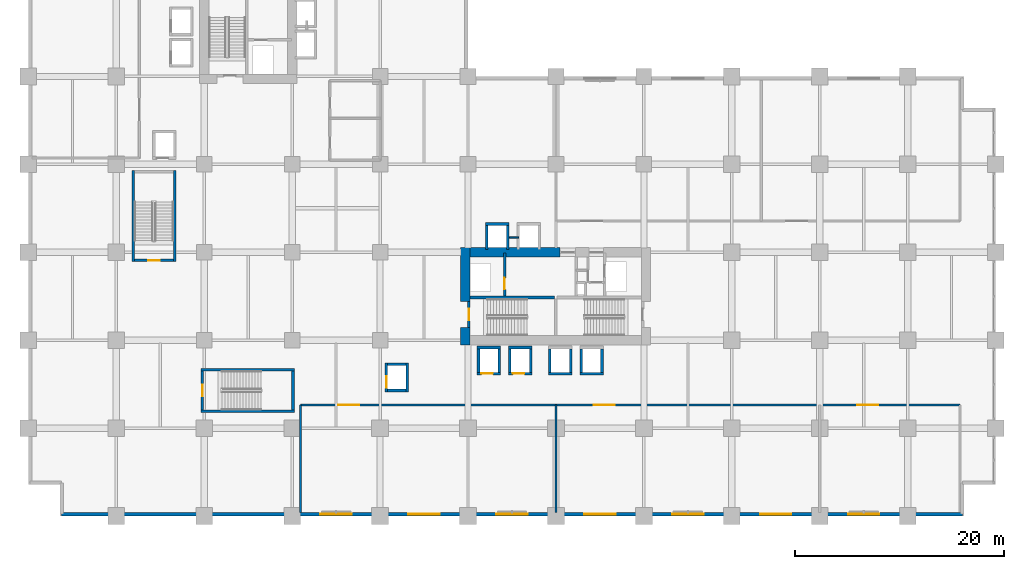
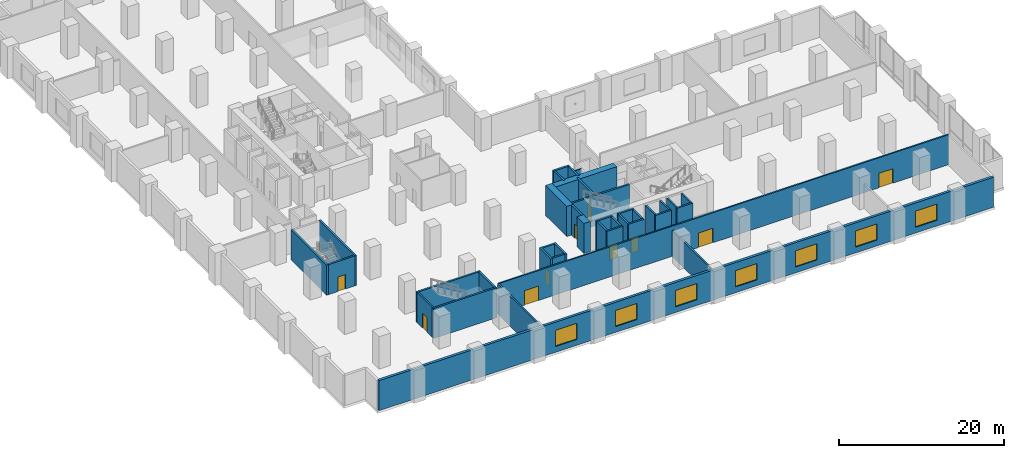
# One storey, part 9 of 22: 39 walls, 10 doors, 7 windows, 17 openings.
"""IFC4 building model written with IfcOpenShell, lengths in metres."""

from ifc_helpers import new_model, si_unit, direction, frame, frame_2d, origin, place, context, subcontext, project, spatial, rectangle, extrude, material, layer, layer_set, type_object, element, fill, save


model = new_model("IFC4")

# Units and contexts
model_context = context("Model", 3, precision=1e-05, world=origin(), true_north=direction((0.0, 1.0)))
body_context = subcontext(model_context, "Body", "Model", "MODEL_VIEW")
ifc_project = project(units=[si_unit("LENGTHUNIT", "METRE"), si_unit("AREAUNIT", "SQUARE_METRE"), si_unit("VOLUMEUNIT", "CUBIC_METRE"), si_unit("PLANEANGLEUNIT", "RADIAN"), si_unit("MASSUNIT", "GRAM", prefix="KILO")], contexts=[model_context])

# Site, building, storey
site_placement = place(None, origin())
site = spatial("IfcSite", under=ifc_project, at=site_placement, CompositionType="ELEMENT")
building_placement = place(site_placement, origin())
building = spatial("IfcBuilding", under=site, at=building_placement, Name="Koriwani Terraces Tower", CompositionType="ELEMENT")
storey_placement = place(building_placement, frame((0.0, 0.0, 10.800048828125)))
storey = spatial("IfcBuildingStorey", under=building, at=storey_placement, Name="L02", CompositionType="ELEMENT", Elevation=10.800048828125)

# Walls
ifc_material_1 = material(Name="Concrete C60/75", Category="concrete")
ifc_layer_1 = layer(ifc_material_1, 0.89990234375, Name="Concrete C60/75")
ifc_layer_set_1 = layer_set([ifc_layer_1], Name="Concrete C60/75")
wall_type_1 = type_object("IfcWallType", Name="WALL_CORE_RC_900", PredefinedType="SHEAR", material=ifc_layer_set_1)
wall_1_placement = place(storey_placement, frame((41.75, 16.35009765625, 0.0), z_axis=(0.0, 0.0, 1.0), x_axis=(0.0, 1.0, 0.0)))
element("IfcWall", 1, at=wall_1_placement, inside=storey, type_object=wall_type_1, Name="L02 East Split Core Shear Wall W1", PredefinedType="SHEAR", context=body_context, shape_type="SweptSolid", body=[
    extrude(rectangle(XDim=1.64990234375, YDim=0.89990234375, at=frame_2d((0.824951171875, 0.0))), origin(), (0.0, 0.0, 1.0), 4.449951171875),
])
wall_2_placement = place(storey_placement, frame((41.75, 20.5, 0.0), z_axis=(0.0, 0.0, 1.0), x_axis=(0.0, 1.0, 0.0)))
element("IfcWall", 2, at=wall_2_placement, inside=storey, type_object=wall_type_1, Name="L02 East Split Core Shear Wall W2", PredefinedType="SHEAR", context=body_context, shape_type="SweptSolid", body=[
    extrude(rectangle(XDim=5.14990234375, YDim=0.89990234375, at=frame_2d((2.574951171875, 0.0))), origin(), (0.0, 0.0, 1.0), 4.449951171875),
])
wall_3_placement = place(storey_placement, frame((42.199951171875, 25.199951171875, 0.0), z_axis=(0.0, 0.0, 1.0), x_axis=(1.0, 0.0, 0.0)))
element("IfcWall", 3, at=wall_3_placement, inside=storey, type_object=wall_type_1, Name="L02 East Split Core Shear Wall N1", PredefinedType="SHEAR", context=body_context, shape_type="SweptSolid", body=[
    extrude(rectangle(XDim=8.60009765625, YDim=0.89990234375, at=frame_2d((4.300048828125, 0.0))), origin(), (0.0, 0.0, 1.0), 4.449951171875),
])

# Wall, openings, doors
ifc_material_2 = material(Name="Autoclaved Cellular Concrete Blockwork", Category="masonry")
ifc_layer_2 = layer(ifc_material_2, 0.199951171875, Name="Autoclaved Cellular Concrete Blockwork")
ifc_layer_set_2 = layer_set([ifc_layer_2], Name="Autoclaved Cellular Concrete Blockwork")
wall_type_2 = type_object("IfcWallType", Name="WALL_CORRIDOR_200", PredefinedType="PARTITIONING", material=ifc_layer_set_2)
wall_4_placement = place(storey_placement, frame((26.0, 10.60009765625, 0.0), z_axis=(0.0, 0.0, 1.0), x_axis=(1.0, 0.0, 0.0)))
wall_4 = element("IfcWall", 4, at=wall_4_placement, inside=storey, type_object=wall_type_2, Name="L02 Interior Wall WPOD-S-L02-0", PredefinedType="PARTITIONING", context=body_context, shape_type="SweptSolid", body=[
    extrude(rectangle(XDim=63.0, YDim=0.199951171875, at=frame_2d((31.5, 0.0))), origin(), (0.0, 0.0, 1.0), 4.449951171875),
])
opening_1_placement = place(wall_4_placement, frame((3.60009765625, 0.0, 0.0)))
opening_1 = element("IfcOpeningElement", 5, at=opening_1_placement, cuts=wall_4, Name="Opening D-02", PredefinedType="OPENING", context=body_context, shape_type="SweptSolid", body=[
    extrude(rectangle(XDim=2.0, YDim=2.14990234375, at=frame_2d((1.0, 1.074951171875))), frame((0.0, 0.10986328125, 0.0), z_axis=(0.0, -1.0, 0.0), x_axis=(1.0, 0.0, 0.0)), (0.0, 0.0, 1.0), 0.219970703125),
])
opening_2_placement = place(wall_4_placement, frame((28.0, 0.0, 0.0)))
opening_2 = element("IfcOpeningElement", 6, at=opening_2_placement, cuts=wall_4, Name="Opening D-02", PredefinedType="OPENING", context=body_context, shape_type="SweptSolid", body=[
    extrude(rectangle(XDim=2.0, YDim=2.14990234375, at=frame_2d((1.0, 1.074951171875))), frame((0.0, 0.10986328125, 0.0), z_axis=(0.0, -1.0, 0.0), x_axis=(1.0, 0.0, 0.0)), (0.0, 0.0, 1.0), 0.219970703125),
])
opening_3_placement = place(wall_4_placement, frame((53.199951171875, 0.0, 0.0)))
opening_3 = element("IfcOpeningElement", 7, at=opening_3_placement, cuts=wall_4, Name="Opening D-02", PredefinedType="OPENING", context=body_context, shape_type="SweptSolid", body=[
    extrude(rectangle(XDim=2.0, YDim=2.14990234375, at=frame_2d((1.0, 1.074951171875))), frame((0.0, 0.10986328125, 0.0), z_axis=(0.0, -1.0, 0.0), x_axis=(1.0, 0.0, 0.0)), (0.0, 0.0, 1.0), 0.219970703125),
])
ifc_material_3 = material(Name="Anodised Bronze Aluminium", Category="aluminium")
door_type_1 = type_object("IfcDoorType", Name="DOOR_ENTRANCE_DOUBLE_2000X2400", OperationType="NOTDEFINED", PredefinedType="DOOR", material=ifc_material_3)
door_1_placement = place(opening_1_placement, origin())
door_1 = element("IfcDoor", 8, at=door_1_placement, inside=storey, type_object=door_type_1, Name="L02 South Galleria Unit 1 Door", OperationType="SINGLE_SWING_RIGHT", OverallHeight=2.14990234375, OverallWidth=2.0, PredefinedType="DOOR", context=body_context, shape_type="SweptSolid", body=[
    extrude(rectangle(XDim=2.0, YDim=2.14990234375, at=frame_2d((1.0, 1.074951171875))), frame((0.0, 0.02490234375, 0.0), z_axis=(0.0, -1.0, 0.0), x_axis=(1.0, 0.0, 0.0)), (0.0, 0.0, 1.0), 0.050048828125),
])
fill(opening_1, door_1)
door_2_placement = place(opening_2_placement, origin())
door_2 = element("IfcDoor", 9, at=door_2_placement, inside=storey, type_object=door_type_1, Name="L02 South Galleria Unit 2 Door", OperationType="SINGLE_SWING_LEFT", OverallHeight=2.14990234375, OverallWidth=2.0, PredefinedType="DOOR", context=body_context, shape_type="SweptSolid", body=[
    extrude(rectangle(XDim=2.0, YDim=2.14990234375, at=frame_2d((1.0, 1.074951171875))), frame((0.0, 0.02490234375, 0.0), z_axis=(0.0, -1.0, 0.0), x_axis=(1.0, 0.0, 0.0)), (0.0, 0.0, 1.0), 0.050048828125),
])
fill(opening_2, door_2)
door_3_placement = place(opening_3_placement, origin())
door_3 = element("IfcDoor", 10, at=door_3_placement, inside=storey, type_object=door_type_1, Name="L02 South Galleria Unit 3 Door", OperationType="SINGLE_SWING_RIGHT", OverallHeight=2.14990234375, OverallWidth=2.0, PredefinedType="DOOR", context=body_context, shape_type="SweptSolid", body=[
    extrude(rectangle(XDim=2.0, YDim=2.14990234375, at=frame_2d((1.0, 1.074951171875))), frame((0.0, 0.02490234375, 0.0), z_axis=(0.0, -1.0, 0.0), x_axis=(1.0, 0.0, 0.0)), (0.0, 0.0, 1.0), 0.050048828125),
])
fill(opening_3, door_3)

# Walls
ifc_layer_3 = layer(ifc_material_2, 0.219970703125, Name="Autoclaved Cellular Concrete Blockwork")
ifc_layer_set_3 = layer_set([ifc_layer_3], Name="Autoclaved Cellular Concrete Blockwork")
wall_type_3 = type_object("IfcWallType", Name="WALL_DEMISING_220", PredefinedType="PARTITIONING", material=ifc_layer_set_3)
wall_5_placement = place(storey_placement, frame((26.0, 0.35009765625, 0.0), z_axis=(0.0, 0.0, 1.0), x_axis=(0.0, 1.0, 0.0)))
element("IfcWall", 11, at=wall_5_placement, inside=storey, type_object=wall_type_3, Name="L02 Interior Wall WPOD-SD-L02-0", PredefinedType="PARTITIONING", context=body_context, shape_type="SweptSolid", body=[
    extrude(rectangle(XDim=10.25, YDim=0.219970703125, at=frame_2d((5.125, 0.0))), origin(), (0.0, 0.0, 1.0), 4.449951171875),
])
wall_6_placement = place(storey_placement, frame((50.39990234375, 0.35009765625, 0.0), z_axis=(0.0, 0.0, 1.0), x_axis=(0.0, 1.0, 0.0)))
element("IfcWall", 12, at=wall_6_placement, inside=storey, type_object=wall_type_3, Name="L02 Interior Wall WPOD-SD-L02-1", PredefinedType="PARTITIONING", context=body_context, shape_type="SweptSolid", body=[
    extrude(rectangle(XDim=10.25, YDim=0.219970703125, at=frame_2d((5.125, 0.0))), origin(), (0.0, 0.0, 1.0), 3.8388671875),
])

# Wall, openings, windows
ifc_material_4 = material(Name="Concrete C50/60", Category="concrete")
ifc_layer_4 = layer(ifc_material_4, 0.35009765625, Name="Concrete C50/60")
ifc_layer_set_4 = layer_set([ifc_layer_4], Name="Concrete C50/60")
wall_type_4 = type_object("IfcWallType", Name="WALL_EXT_BRUTALIST_350", PredefinedType="STANDARD", material=ifc_layer_set_4)
wall_7_placement = place(storey_placement, frame((89.22509765625, 0.175048828125, 0.0), z_axis=(0.0, 0.0, 1.0), x_axis=(-1.0, 0.0, 0.0)))
wall_7 = element("IfcWall", 13, at=wall_7_placement, inside=storey, type_object=wall_type_4, Name="L02 Fair-Faced Brutalist Exterior Wall (S)", PredefinedType="STANDARD", context=body_context, shape_type="SweptSolid", body=[
    extrude(rectangle(XDim=86.050048828125, YDim=0.35009765625, at=frame_2d((43.02490234375, 0.0))), origin(), (0.0, 0.0, 1.0), 4.449951171875),
])
opening_4_placement = place(wall_7_placement, frame((58.324951171875, 0.0, 0.85009765625)))
opening_4 = element("IfcOpeningElement", 14, at=opening_4_placement, cuts=wall_7, Name="Opening W-06", PredefinedType="OPENING", context=body_context, shape_type="SweptSolid", body=[
    extrude(rectangle(XDim=3.0, YDim=2.39990234375, at=frame_2d((1.5, 1.199951171875))), frame((0.0, 0.18505859375, 0.0), z_axis=(0.0, -1.0, 0.0), x_axis=(1.0, 0.0, 0.0)), (0.0, 0.0, 1.0), 0.3701171875),
])
opening_5_placement = place(wall_7_placement, frame((49.925048828125, 0.0, 0.85009765625)))
opening_5 = element("IfcOpeningElement", 15, at=opening_5_placement, cuts=wall_7, Name="Opening W-06", PredefinedType="OPENING", context=body_context, shape_type="SweptSolid", body=[
    extrude(rectangle(XDim=3.0, YDim=2.39990234375, at=frame_2d((1.5, 1.199951171875))), frame((0.0, 0.18505859375, 0.0), z_axis=(0.0, -1.0, 0.0), x_axis=(1.0, 0.0, 0.0)), (0.0, 0.0, 1.0), 0.3701171875),
])
opening_6_placement = place(wall_7_placement, frame((41.52490234375, 0.0, 0.85009765625)))
opening_6 = element("IfcOpeningElement", 16, at=opening_6_placement, cuts=wall_7, Name="Opening W-06", PredefinedType="OPENING", context=body_context, shape_type="SweptSolid", body=[
    extrude(rectangle(XDim=3.0, YDim=2.39990234375, at=frame_2d((1.5, 1.199951171875))), frame((0.0, 0.18505859375, 0.0), z_axis=(0.0, -1.0, 0.0), x_axis=(1.0, 0.0, 0.0)), (0.0, 0.0, 1.0), 0.3701171875),
])
opening_7_placement = place(wall_7_placement, frame((33.125, 0.0, 0.85009765625)))
opening_7 = element("IfcOpeningElement", 17, at=opening_7_placement, cuts=wall_7, Name="Opening W-06", PredefinedType="OPENING", context=body_context, shape_type="SweptSolid", body=[
    extrude(rectangle(XDim=3.0, YDim=2.39990234375, at=frame_2d((1.5, 1.199951171875))), frame((0.0, 0.18505859375, 0.0), z_axis=(0.0, -1.0, 0.0), x_axis=(1.0, 0.0, 0.0)), (0.0, 0.0, 1.0), 0.3701171875),
])
opening_8_placement = place(wall_7_placement, frame((24.72509765625, 0.0, 0.85009765625)))
opening_8 = element("IfcOpeningElement", 18, at=opening_8_placement, cuts=wall_7, Name="Opening W-06", PredefinedType="OPENING", context=body_context, shape_type="SweptSolid", body=[
    extrude(rectangle(XDim=3.0, YDim=2.39990234375, at=frame_2d((1.5, 1.199951171875))), frame((0.0, 0.18505859375, 0.0), z_axis=(0.0, -1.0, 0.0), x_axis=(1.0, 0.0, 0.0)), (0.0, 0.0, 1.0), 0.3701171875),
])
opening_9_placement = place(wall_7_placement, frame((16.324951171875, 0.0, 0.85009765625)))
opening_9 = element("IfcOpeningElement", 19, at=opening_9_placement, cuts=wall_7, Name="Opening W-06", PredefinedType="OPENING", context=body_context, shape_type="SweptSolid", body=[
    extrude(rectangle(XDim=3.0, YDim=2.39990234375, at=frame_2d((1.5, 1.199951171875))), frame((0.0, 0.18505859375, 0.0), z_axis=(0.0, -1.0, 0.0), x_axis=(1.0, 0.0, 0.0)), (0.0, 0.0, 1.0), 0.3701171875),
])
opening_10_placement = place(wall_7_placement, frame((7.925048828125, 0.0, 0.85009765625)))
opening_10 = element("IfcOpeningElement", 20, at=opening_10_placement, cuts=wall_7, Name="Opening W-06", PredefinedType="OPENING", context=body_context, shape_type="SweptSolid", body=[
    extrude(rectangle(XDim=3.0, YDim=2.39990234375, at=frame_2d((1.5, 1.199951171875))), frame((0.0, 0.18505859375, 0.0), z_axis=(0.0, -1.0, 0.0), x_axis=(1.0, 0.0, 0.0)), (0.0, 0.0, 1.0), 0.3701171875),
])
ifc_material_5 = material(Name="Tempered Laminated Low-E Glass", Category="glass")
window_type = type_object("IfcWindowType", Name="WIN_PODIUM_PUNCHED_3000X2400", PartitioningType="TRIPLE_PANEL_VERTICAL", PredefinedType="WINDOW", material=ifc_material_5)
window_1_placement = place(opening_4_placement, origin())
window_1 = element("IfcWindow", 21, at=window_1_placement, inside=storey, type_object=window_type, Name="L02 Exterior Window (S-9)", OverallHeight=2.39990234375, OverallWidth=3.0, PartitioningType="SINGLE_PANEL", PredefinedType="WINDOW", context=body_context, shape_type="SweptSolid", body=[
    extrude(rectangle(XDim=3.0, YDim=2.39990234375, at=frame_2d((1.5, 1.199951171875))), frame((0.0, 0.030029296875, 0.0), z_axis=(0.0, -1.0, 0.0), x_axis=(1.0, 0.0, 0.0)), (0.0, 0.0, 1.0), 0.06005859375),
])
fill(opening_4, window_1)
window_2_placement = place(opening_5_placement, origin())
window_2 = element("IfcWindow", 22, at=window_2_placement, inside=storey, type_object=window_type, Name="L02 Exterior Window (S-12)", OverallHeight=2.39990234375, OverallWidth=3.0, PartitioningType="SINGLE_PANEL", PredefinedType="WINDOW", context=body_context, shape_type="SweptSolid", body=[
    extrude(rectangle(XDim=3.0, YDim=2.39990234375, at=frame_2d((1.5, 1.199951171875))), frame((0.0, 0.030029296875, 0.0), z_axis=(0.0, -1.0, 0.0), x_axis=(1.0, 0.0, 0.0)), (0.0, 0.0, 1.0), 0.06005859375),
])
fill(opening_5, window_2)
window_3_placement = place(opening_6_placement, origin())
window_3 = element("IfcWindow", 23, at=window_3_placement, inside=storey, type_object=window_type, Name="L02 Exterior Window (S-15)", OverallHeight=2.39990234375, OverallWidth=3.0, PartitioningType="SINGLE_PANEL", PredefinedType="WINDOW", context=body_context, shape_type="SweptSolid", body=[
    extrude(rectangle(XDim=3.0, YDim=2.39990234375, at=frame_2d((1.5, 1.199951171875))), frame((0.0, 0.030029296875, 0.0), z_axis=(0.0, -1.0, 0.0), x_axis=(1.0, 0.0, 0.0)), (0.0, 0.0, 1.0), 0.06005859375),
])
fill(opening_6, window_3)
window_4_placement = place(opening_7_placement, origin())
window_4 = element("IfcWindow", 24, at=window_4_placement, inside=storey, type_object=window_type, Name="L02 Exterior Window (S-18)", OverallHeight=2.39990234375, OverallWidth=3.0, PartitioningType="SINGLE_PANEL", PredefinedType="WINDOW", context=body_context, shape_type="SweptSolid", body=[
    extrude(rectangle(XDim=3.0, YDim=2.39990234375, at=frame_2d((1.5, 1.199951171875))), frame((0.0, 0.030029296875, 0.0), z_axis=(0.0, -1.0, 0.0), x_axis=(1.0, 0.0, 0.0)), (0.0, 0.0, 1.0), 0.06005859375),
])
fill(opening_7, window_4)
window_5_placement = place(opening_8_placement, origin())
window_5 = element("IfcWindow", 25, at=window_5_placement, inside=storey, type_object=window_type, Name="L02 Exterior Window (S-21)", OverallHeight=2.39990234375, OverallWidth=3.0, PartitioningType="SINGLE_PANEL", PredefinedType="WINDOW", context=body_context, shape_type="SweptSolid", body=[
    extrude(rectangle(XDim=3.0, YDim=2.39990234375, at=frame_2d((1.5, 1.199951171875))), frame((0.0, 0.030029296875, 0.0), z_axis=(0.0, -1.0, 0.0), x_axis=(1.0, 0.0, 0.0)), (0.0, 0.0, 1.0), 0.06005859375),
])
fill(opening_8, window_5)
window_6_placement = place(opening_9_placement, origin())
window_6 = element("IfcWindow", 26, at=window_6_placement, inside=storey, type_object=window_type, Name="L02 Exterior Window (S-24)", OverallHeight=2.39990234375, OverallWidth=3.0, PartitioningType="SINGLE_PANEL", PredefinedType="WINDOW", context=body_context, shape_type="SweptSolid", body=[
    extrude(rectangle(XDim=3.0, YDim=2.39990234375, at=frame_2d((1.5, 1.199951171875))), frame((0.0, 0.030029296875, 0.0), z_axis=(0.0, -1.0, 0.0), x_axis=(1.0, 0.0, 0.0)), (0.0, 0.0, 1.0), 0.06005859375),
])
fill(opening_9, window_6)
window_7_placement = place(opening_10_placement, origin())
window_7 = element("IfcWindow", 27, at=window_7_placement, inside=storey, type_object=window_type, Name="L02 Exterior Window (S-27)", OverallHeight=2.39990234375, OverallWidth=3.0, PartitioningType="SINGLE_PANEL", PredefinedType="WINDOW", context=body_context, shape_type="SweptSolid", body=[
    extrude(rectangle(XDim=3.0, YDim=2.39990234375, at=frame_2d((1.5, 1.199951171875))), frame((0.0, 0.030029296875, 0.0), z_axis=(0.0, -1.0, 0.0), x_axis=(1.0, 0.0, 0.0)), (0.0, 0.0, 1.0), 0.06005859375),
])
fill(opening_10, window_7)

# Walls
ifc_material_6 = material(Name="Concrete C40/50", Category="concrete")
ifc_layer_5 = layer(ifc_material_6, 0.25, Name="Concrete C40/50")
ifc_layer_set_5 = layer_set([ifc_layer_5], Name="Concrete C40/50")
wall_type_5 = type_object("IfcWallType", Name="WALL_SHAFT_RATED_250", PredefinedType="SOLIDWALL", material=ifc_layer_set_5)
wall_8_placement = place(storey_placement, frame((42.199951171875, 20.875, 0.0), z_axis=(0.0, 0.0, 1.0), x_axis=(1.0, 0.0, 0.0)))
element("IfcWall", 28, at=wall_8_placement, inside=storey, type_object=wall_type_5, Name="L02 East Split Core Web Wall MID1", PredefinedType="SOLIDWALL", context=body_context, shape_type="SweptSolid", body=[
    extrude(rectangle(XDim=8.050048828125, YDim=0.25, at=frame_2d((4.02490234375, 0.0))), origin(), (0.0, 0.0, 1.0), 4.449951171875),
])
for number, where, z_axis, x_axis, name in (
    (29, (10.02490234375, 24.300048828125, 0.0), (0.0, 0.0, 1.0), (0.0, 1.0, 0.0), "L02 Podium Stair ST-P1 West Bearing Wall"),
    (30, (13.97509765625, 24.300048828125, 0.0), (0.0, 0.0, 1.0), (0.0, 1.0, 0.0), "L02 Podium Stair ST-P1 East Bearing Wall"),
):
    element("IfcWall", number, at=place(storey_placement, frame(where, z_axis=z_axis, x_axis=x_axis)), inside=storey, type_object=wall_type_5, Name=name, PredefinedType="SOLIDWALL", context=body_context, shape_type="SweptSolid", body=[
        extrude(rectangle(XDim=8.699951171875, YDim=0.25, at=frame_2d((4.35009765625, 0.0))), origin(), (0.0, 0.0, 1.0), 4.449951171875),
    ])
for number, where, z_axis, x_axis, name in (
    (31, (16.5, 10.02490234375, 0.0), (0.0, 0.0, 1.0), (1.0, 0.0, 0.0), "L02 Podium Stair ST-P2 South Bearing Wall"),
    (32, (16.5, 13.97509765625, 0.0), (0.0, 0.0, 1.0), (1.0, 0.0, 0.0), "L02 Podium Stair ST-P2 North Bearing Wall"),
):
    element("IfcWall", number, at=place(storey_placement, frame(where, z_axis=z_axis, x_axis=x_axis)), inside=storey, type_object=wall_type_5, Name=name, PredefinedType="SOLIDWALL", context=body_context, shape_type="SweptSolid", body=[
        extrude(rectangle(XDim=8.89990234375, YDim=0.25, at=frame_2d((4.449951171875, 0.0))), origin(), (0.0, 0.0, 1.0), 4.449951171875),
    ])
wall_9_placement = place(storey_placement, frame((25.27490234375, 10.14990234375, 0.0), z_axis=(0.0, 0.0, 1.0), x_axis=(0.0, 1.0, 0.0)))
element("IfcWall", 33, at=wall_9_placement, inside=storey, type_object=wall_type_5, Name="L02 Podium Stair ST-P2 East Bearing Wall", PredefinedType="SOLIDWALL", context=body_context, shape_type="SweptSolid", body=[
    extrude(rectangle(XDim=3.7001953125, YDim=0.25, at=frame_2d((1.85009765625, 0.0))), origin(), (0.0, 0.0, 1.0), 4.449951171875),
])

# Wall, opening, door
wall_10_placement = place(storey_placement, frame((42.074951171875, 18.0, 0.0), z_axis=(0.0, 0.0, 1.0), x_axis=(0.0, 1.0, 0.0)))
wall_10 = element("IfcWall", 34, at=wall_10_placement, inside=storey, type_object=wall_type_5, Name="L02 Interior Wall WIN-CE-L02-STW", PredefinedType="SOLIDWALL", context=body_context, shape_type="SweptSolid", body=[
    extrude(rectangle(XDim=2.5, YDim=0.25, at=frame_2d((1.25, 0.0))), origin(), (0.0, 0.0, 1.0), 4.449951171875),
])
opening_11_placement = place(wall_10_placement, frame((0.699951171875, 0.0, 0.0)))
opening_11 = element("IfcOpeningElement", 35, at=opening_11_placement, cuts=wall_10, Name="Opening D-03", PredefinedType="OPENING", context=body_context, shape_type="SweptSolid", body=[
    extrude(rectangle(XDim=1.10009765625, YDim=2.14990234375, at=frame_2d((0.550048828125, 1.074951171875))), frame((0.0, 0.135009765625, 0.0), z_axis=(0.0, -1.0, 0.0), x_axis=(1.0, 0.0, 0.0)), (0.0, 0.0, 1.0), 0.27001953125),
])
ifc_material_7 = material(Name="Steel ASTM A572 Grade 50", Category="steel")
door_type_2 = type_object("IfcDoorType", Name="DOOR_STAIR_FIRE_1100X2150", OperationType="NOTDEFINED", PredefinedType="DOOR", material=ifc_material_7)
door_4_placement = place(opening_11_placement, origin())
door_4 = element("IfcDoor", 36, at=door_4_placement, inside=storey, type_object=door_type_2, Name="L02 Exit Stair ST-E1 Door", OperationType="SINGLE_SWING_LEFT", OverallHeight=2.14990234375, OverallWidth=1.10009765625, PredefinedType="DOOR", context=body_context, shape_type="SweptSolid", body=[
    extrude(rectangle(XDim=1.10009765625, YDim=2.14990234375, at=frame_2d((0.550048828125, 1.074951171875))), frame((0.0, 0.02490234375, 0.0), z_axis=(0.0, -1.0, 0.0), x_axis=(1.0, 0.0, 0.0)), (0.0, 0.0, 1.0), 0.050048828125),
])
fill(opening_11, door_4)

wall_11_placement = place(storey_placement, frame((45.5, 21.0, 0.0), z_axis=(0.0, 0.0, 1.0), x_axis=(0.0, 1.0, 0.0)))
wall_11 = element("IfcWall", 37, at=wall_11_placement, inside=storey, type_object=wall_type_5, Name="L02 Interior Wall WIN-CE-L02-FE", PredefinedType="SOLIDWALL", context=body_context, shape_type="SweptSolid", body=[
    extrude(rectangle(XDim=4.14990234375, YDim=0.25, at=frame_2d((2.074951171875, 0.0))), origin(), (0.0, 0.0, 1.0), 4.449951171875),
])
opening_12_placement = place(wall_11_placement, frame((0.64990234375, 0.0, 0.0)))
opening_12 = element("IfcOpeningElement", 38, at=opening_12_placement, cuts=wall_11, Name="Opening LD-01", PredefinedType="OPENING", context=body_context, shape_type="SweptSolid", body=[
    extrude(rectangle(XDim=1.10009765625, YDim=2.14990234375, at=frame_2d((0.550048828125, 1.074951171875))), frame((0.0, 0.135009765625, 0.0), z_axis=(0.0, -1.0, 0.0), x_axis=(1.0, 0.0, 0.0)), (0.0, 0.0, 1.0), 0.27001953125),
])
door_type_3 = type_object("IfcDoorType", Name="DOOR_LIFT_LANDING_1100X2200", OperationType="NOTDEFINED", PredefinedType="DOOR", material=ifc_material_7)
door_5_placement = place(opening_12_placement, origin())
door_5 = element("IfcDoor", 39, at=door_5_placement, inside=storey, type_object=door_type_3, Name="L02 Firefighting Lift FE-02 Landing Door", OperationType="SLIDING_TO_LEFT", OverallHeight=2.14990234375, OverallWidth=1.10009765625, PredefinedType="DOOR", context=body_context, shape_type="SweptSolid", body=[
    extrude(rectangle(XDim=1.10009765625, YDim=2.14990234375, at=frame_2d((0.550048828125, 1.074951171875))), frame((0.0, 0.02490234375, 0.0), z_axis=(0.0, -1.0, 0.0), x_axis=(1.0, 0.0, 0.0)), (0.0, 0.0, 1.0), 0.050048828125),
])
fill(opening_12, door_5)

wall_12_placement = place(storey_placement, frame((34.199951171875, 11.875, 0.0), z_axis=(0.0, 0.0, 1.0), x_axis=(0.0, 1.0, 0.0)))
wall_12 = element("IfcWall", 40, at=wall_12_placement, inside=storey, type_object=wall_type_5, Name="L02 Interior Wall WIN-LF-PE-P2-L02-F", PredefinedType="SOLIDWALL", context=body_context, shape_type="SweptSolid", body=[
    extrude(rectangle(XDim=2.75, YDim=0.25, at=frame_2d((1.375, 0.0))), origin(), (0.0, 0.0, 1.0), 4.449951171875),
])
opening_13_placement = place(wall_12_placement, frame((0.39990234375, 0.0, 0.0)))
opening_13 = element("IfcOpeningElement", 41, at=opening_13_placement, cuts=wall_12, Name="Opening LD-01", PredefinedType="OPENING", context=body_context, shape_type="SweptSolid", body=[
    extrude(rectangle(XDim=1.10009765625, YDim=2.14990234375, at=frame_2d((0.550048828125, 1.074951171875))), frame((0.0, 0.135009765625, 0.0), z_axis=(0.0, -1.0, 0.0), x_axis=(1.0, 0.0, 0.0)), (0.0, 0.0, 1.0), 0.27001953125),
])
door_6_placement = place(opening_13_placement, origin())
door_6 = element("IfcDoor", 42, at=door_6_placement, inside=storey, type_object=door_type_3, Name="L02 Passenger Lift PE-P2 Landing Door", OperationType="SLIDING_TO_LEFT", OverallHeight=2.14990234375, OverallWidth=1.10009765625, PredefinedType="DOOR", context=body_context, shape_type="SweptSolid", body=[
    extrude(rectangle(XDim=1.10009765625, YDim=2.14990234375, at=frame_2d((0.550048828125, 1.074951171875))), frame((0.0, 0.02490234375, 0.0), z_axis=(0.0, -1.0, 0.0), x_axis=(1.0, 0.0, 0.0)), (0.0, 0.0, 1.0), 0.050048828125),
])
fill(opening_13, door_6)

# Walls
wall_13_placement = place(storey_placement, frame((36.199951171875, 11.875, 0.0), z_axis=(0.0, 0.0, 1.0), x_axis=(0.0, 1.0, 0.0)))
element("IfcWall", 43, at=wall_13_placement, inside=storey, type_object=wall_type_5, Name="L02 Interior Wall WIN-LF-PE-P2-L02-B", PredefinedType="SOLIDWALL", context=body_context, shape_type="SweptSolid", body=[
    extrude(rectangle(XDim=2.75, YDim=0.25, at=frame_2d((1.375, 0.0))), origin(), (0.0, 0.0, 1.0), 4.449951171875),
])
for number, where, z_axis, x_axis, name in (
    (44, (34.324951171875, 12.0, 0.0), (0.0, 0.0, 1.0), (1.0, 0.0, 0.0), "L02 Interior Wall WIN-LF-PE-P2-L02-S"),
    (45, (34.324951171875, 14.5, 0.0), (0.0, 0.0, 1.0), (1.0, 0.0, 0.0), "L02 Interior Wall WIN-LF-PE-P2-L02-N"),
):
    element("IfcWall", number, at=place(storey_placement, frame(where, z_axis=z_axis, x_axis=x_axis)), inside=storey, type_object=wall_type_5, Name=name, PredefinedType="SOLIDWALL", context=body_context, shape_type="SweptSolid", body=[
        extrude(rectangle(XDim=1.75, YDim=0.25, at=frame_2d((0.875, 0.0))), origin(), (0.0, 0.0, 1.0), 4.449951171875),
    ])

# Wall, opening, door
wall_14_placement = place(storey_placement, frame((42.875, 13.60009765625, 0.0), z_axis=(0.0, 0.0, 1.0), x_axis=(1.0, 0.0, 0.0)))
wall_14 = element("IfcWall", 46, at=wall_14_placement, inside=storey, type_object=wall_type_5, Name="L02 Interior Wall WIN-LF-PE-L3-L02-F", PredefinedType="SOLIDWALL", context=body_context, shape_type="SweptSolid", body=[
    extrude(rectangle(XDim=2.25, YDim=0.25, at=frame_2d((1.125, 0.0))), origin(), (0.0, 0.0, 1.0), 4.449951171875),
])
opening_14_placement = place(wall_14_placement, frame((0.39990234375, 0.0, 0.0)))
opening_14 = element("IfcOpeningElement", 47, at=opening_14_placement, cuts=wall_14, Name="Opening LD-01", PredefinedType="OPENING", context=body_context, shape_type="SweptSolid", body=[
    extrude(rectangle(XDim=1.10009765625, YDim=2.14990234375, at=frame_2d((0.550048828125, 1.074951171875))), frame((0.0, 0.135009765625, 0.0), z_axis=(0.0, -1.0, 0.0), x_axis=(1.0, 0.0, 0.0)), (0.0, 0.0, 1.0), 0.27001953125),
])
door_7_placement = place(opening_14_placement, origin())
door_7 = element("IfcDoor", 48, at=door_7_placement, inside=storey, type_object=door_type_3, Name="L02 Passenger Lift PE-L3 Landing Door", OperationType="SLIDING_TO_LEFT", OverallHeight=2.14990234375, OverallWidth=1.10009765625, PredefinedType="DOOR", context=body_context, shape_type="SweptSolid", body=[
    extrude(rectangle(XDim=1.10009765625, YDim=2.14990234375, at=frame_2d((0.550048828125, 1.074951171875))), frame((0.0, 0.02490234375, 0.0), z_axis=(0.0, -1.0, 0.0), x_axis=(1.0, 0.0, 0.0)), (0.0, 0.0, 1.0), 0.050048828125),
])
fill(opening_14, door_7)

# Walls
for number, where, z_axis, x_axis, name in (
    (49, (42.875, 16.10009765625, 0.0), (0.0, 0.0, 1.0), (1.0, 0.0, 0.0), "L02 Interior Wall WIN-LF-PE-L3-L02-B"),
    (50, (43.0, 13.72509765625, 0.0), (0.0, 0.0, 1.0), (0.0, 1.0, 0.0), "L02 Interior Wall WIN-LF-PE-L3-L02-W"),
    (51, (45.0, 13.72509765625, 0.0), (0.0, 0.0, 1.0), (0.0, 1.0, 0.0), "L02 Interior Wall WIN-LF-PE-L3-L02-E"),
):
    element("IfcWall", number, at=place(storey_placement, frame(where, z_axis=z_axis, x_axis=x_axis)), inside=storey, type_object=wall_type_5, Name=name, PredefinedType="SOLIDWALL", context=body_context, shape_type="SweptSolid", body=[
        extrude(rectangle(XDim=2.25, YDim=0.25, at=frame_2d((1.125, 0.0))), origin(), (0.0, 0.0, 1.0), 4.449951171875),
    ])

# Wall, opening, door
wall_15_placement = place(storey_placement, frame((45.875, 13.60009765625, 0.0), z_axis=(0.0, 0.0, 1.0), x_axis=(1.0, 0.0, 0.0)))
wall_15 = element("IfcWall", 52, at=wall_15_placement, inside=storey, type_object=wall_type_5, Name="L02 Interior Wall WIN-LF-PE-L4-L02-F", PredefinedType="SOLIDWALL", context=body_context, shape_type="SweptSolid", body=[
    extrude(rectangle(XDim=2.25, YDim=0.25, at=frame_2d((1.125, 0.0))), origin(), (0.0, 0.0, 1.0), 4.449951171875),
])
opening_15_placement = place(wall_15_placement, frame((0.39990234375, 0.0, 0.0)))
opening_15 = element("IfcOpeningElement", 53, at=opening_15_placement, cuts=wall_15, Name="Opening LD-01", PredefinedType="OPENING", context=body_context, shape_type="SweptSolid", body=[
    extrude(rectangle(XDim=1.10009765625, YDim=2.14990234375, at=frame_2d((0.550048828125, 1.074951171875))), frame((0.0, 0.135009765625, 0.0), z_axis=(0.0, -1.0, 0.0), x_axis=(1.0, 0.0, 0.0)), (0.0, 0.0, 1.0), 0.27001953125),
])
door_8_placement = place(opening_15_placement, origin())
door_8 = element("IfcDoor", 54, at=door_8_placement, inside=storey, type_object=door_type_3, Name="L02 Passenger Lift PE-L4 Landing Door", OperationType="SLIDING_TO_LEFT", OverallHeight=2.14990234375, OverallWidth=1.10009765625, PredefinedType="DOOR", context=body_context, shape_type="SweptSolid", body=[
    extrude(rectangle(XDim=1.10009765625, YDim=2.14990234375, at=frame_2d((0.550048828125, 1.074951171875))), frame((0.0, 0.02490234375, 0.0), z_axis=(0.0, -1.0, 0.0), x_axis=(1.0, 0.0, 0.0)), (0.0, 0.0, 1.0), 0.050048828125),
])
fill(opening_15, door_8)

# Walls
for number, where, z_axis, x_axis, name in (
    (55, (45.875, 16.10009765625, 0.0), (0.0, 0.0, 1.0), (1.0, 0.0, 0.0), "L02 Interior Wall WIN-LF-PE-L4-L02-B"),
    (56, (46.0, 13.72509765625, 0.0), (0.0, 0.0, 1.0), (0.0, 1.0, 0.0), "L02 Interior Wall WIN-LF-PE-L4-L02-W"),
    (57, (48.0, 13.72509765625, 0.0), (0.0, 0.0, 1.0), (0.0, 1.0, 0.0), "L02 Interior Wall WIN-LF-PE-L4-L02-E"),
    (58, (49.675048828125, 13.60009765625, 0.0), (0.0, 0.0, 1.0), (1.0, 0.0, 0.0), "L02 Interior Wall WIN-LF-PE-M3-L02-F"),
    (59, (49.800048828125, 13.72509765625, 0.0), (0.0, 0.0, 1.0), (0.0, 1.0, 0.0), "L02 Interior Wall WIN-LF-PE-M3-L02-W"),
    (60, (51.800048828125, 13.72509765625, 0.0), (0.0, 0.0, 1.0), (0.0, 1.0, 0.0), "L02 Interior Wall WIN-LF-PE-M3-L02-E"),
    (61, (52.675048828125, 13.60009765625, 0.0), (0.0, 0.0, 1.0), (1.0, 0.0, 0.0), "L02 Interior Wall WIN-LF-PE-M4-L02-F"),
    (62, (52.800048828125, 13.72509765625, 0.0), (0.0, 0.0, 1.0), (0.0, 1.0, 0.0), "L02 Interior Wall WIN-LF-PE-M4-L02-W"),
    (63, (54.800048828125, 13.72509765625, 0.0), (0.0, 0.0, 1.0), (0.0, 1.0, 0.0), "L02 Interior Wall WIN-LF-PE-M4-L02-E"),
    (64, (43.675048828125, 27.89990234375, 0.0), (0.0, 0.0, 1.0), (1.0, 0.0, 0.0), "L02 Interior Wall WIN-LF-PE-H3-L02-F"),
):
    element("IfcWall", number, at=place(storey_placement, frame(where, z_axis=z_axis, x_axis=x_axis)), inside=storey, type_object=wall_type_5, Name=name, PredefinedType="SOLIDWALL", context=body_context, shape_type="SweptSolid", body=[
        extrude(rectangle(XDim=2.25, YDim=0.25, at=frame_2d((1.125, 0.0))), origin(), (0.0, 0.0, 1.0), 4.449951171875),
    ])
for number, where, z_axis, x_axis, name in (
    (65, (43.800048828125, 25.449951171875, 0.0), (0.0, 0.0, 1.0), (0.0, 1.0, 0.0), "L02 Interior Wall WIN-LF-PE-H3-L02-W"),
    (66, (45.800048828125, 25.449951171875, 0.0), (0.0, 0.0, 1.0), (0.0, 1.0, 0.0), "L02 Interior Wall WIN-LF-PE-H3-L02-E"),
):
    element("IfcWall", number, at=place(storey_placement, frame(where, z_axis=z_axis, x_axis=x_axis)), inside=storey, type_object=wall_type_5, Name=name, PredefinedType="SOLIDWALL", context=body_context, shape_type="SweptSolid", body=[
        extrude(rectangle(XDim=2.324951171875, YDim=0.25, at=frame_2d((1.16259765625, 0.0))), origin(), (0.0, 0.0, 1.0), 4.449951171875),
    ])

# Wall, opening, door
wall_16_placement = place(storey_placement, frame((10.14990234375, 24.425048828125, 0.0), z_axis=(0.0, 0.0, 1.0), x_axis=(1.0, 0.0, 0.0)))
wall_16 = element("IfcWall", 67, at=wall_16_placement, inside=storey, type_object=wall_type_5, Name="L02 Interior Wall WIN-STP1-L02-S", PredefinedType="SOLIDWALL", context=body_context, shape_type="SweptSolid", body=[
    extrude(rectangle(XDim=3.7001953125, YDim=0.25, at=frame_2d((1.85009765625, 0.0))), origin(), (0.0, 0.0, 1.0), 4.449951171875),
])
opening_16_placement = place(wall_16_placement, frame((1.300048828125, 0.0, 0.0)))
opening_16 = element("IfcOpeningElement", 68, at=opening_16_placement, cuts=wall_16, Name="Opening D-03", PredefinedType="OPENING", context=body_context, shape_type="SweptSolid", body=[
    extrude(rectangle(XDim=1.10009765625, YDim=2.14990234375, at=frame_2d((0.550048828125, 1.074951171875))), frame((0.0, 0.135009765625, 0.0), z_axis=(0.0, -1.0, 0.0), x_axis=(1.0, 0.0, 0.0)), (0.0, 0.0, 1.0), 0.27001953125),
])
door_9_placement = place(opening_16_placement, origin())
door_9 = element("IfcDoor", 69, at=door_9_placement, inside=storey, type_object=door_type_2, Name="L02 Podium Exit Stair ST-P1 Door", OperationType="SINGLE_SWING_RIGHT", OverallHeight=2.14990234375, OverallWidth=1.10009765625, PredefinedType="DOOR", context=body_context, shape_type="SweptSolid", body=[
    extrude(rectangle(XDim=1.10009765625, YDim=2.14990234375, at=frame_2d((0.550048828125, 1.074951171875))), frame((0.0, 0.02490234375, 0.0), z_axis=(0.0, -1.0, 0.0), x_axis=(1.0, 0.0, 0.0)), (0.0, 0.0, 1.0), 0.050048828125),
])
fill(opening_16, door_9)

wall_17_placement = place(storey_placement, frame((16.625, 10.14990234375, 0.0), z_axis=(0.0, 0.0, 1.0), x_axis=(0.0, 1.0, 0.0)))
wall_17 = element("IfcWall", 70, at=wall_17_placement, inside=storey, type_object=wall_type_5, Name="L02 Interior Wall WIN-STP2-L02-W", PredefinedType="SOLIDWALL", context=body_context, shape_type="SweptSolid", body=[
    extrude(rectangle(XDim=3.7001953125, YDim=0.25, at=frame_2d((1.85009765625, 0.0))), origin(), (0.0, 0.0, 1.0), 4.449951171875),
])
opening_17_placement = place(wall_17_placement, frame((1.300048828125, 0.0, 0.0)))
opening_17 = element("IfcOpeningElement", 71, at=opening_17_placement, cuts=wall_17, Name="Opening D-03", PredefinedType="OPENING", context=body_context, shape_type="SweptSolid", body=[
    extrude(rectangle(XDim=1.10009765625, YDim=2.14990234375, at=frame_2d((0.550048828125, 1.074951171875))), frame((0.0, 0.135009765625, 0.0), z_axis=(0.0, -1.0, 0.0), x_axis=(1.0, 0.0, 0.0)), (0.0, 0.0, 1.0), 0.27001953125),
])
door_10_placement = place(opening_17_placement, origin())
door_10 = element("IfcDoor", 72, at=door_10_placement, inside=storey, type_object=door_type_2, Name="L02 Podium Exit Stair ST-P2 Door", OperationType="SINGLE_SWING_LEFT", OverallHeight=2.14990234375, OverallWidth=1.10009765625, PredefinedType="DOOR", context=body_context, shape_type="SweptSolid", body=[
    extrude(rectangle(XDim=1.10009765625, YDim=2.14990234375, at=frame_2d((0.550048828125, 1.074951171875))), frame((0.0, 0.02490234375, 0.0), z_axis=(0.0, -1.0, 0.0), x_axis=(1.0, 0.0, 0.0)), (0.0, 0.0, 1.0), 0.050048828125),
])
fill(opening_17, door_10)

# Wall
ifc_material_8 = material(Name="Fire-Rated Acoustic Gypsum Partition", Category="masonry")
ifc_layer_6 = layer(ifc_material_8, 0.159912109375, Name="Fire-Rated Acoustic Gypsum Partition")
ifc_layer_set_6 = layer_set([ifc_layer_6], Name="Fire-Rated Acoustic Gypsum Partition")
wall_type_6 = type_object("IfcWallType", Name="WALL_SUITE_160", PredefinedType="PARTITIONING", material=ifc_layer_set_6)
wall_18_placement = place(storey_placement, frame((45.9599609375, 26.60009765625, 0.0), z_axis=(0.0, 0.0, 1.0), x_axis=(1.0, 0.0, 0.0)))
element("IfcWall", 73, at=wall_18_placement, inside=storey, type_object=wall_type_6, Name="L02 Interior Wall WIN-LF-PEH34-MID-L02", PredefinedType="PARTITIONING", context=body_context, shape_type="SweptSolid", body=[
    extrude(rectangle(XDim=0.880126953125, YDim=0.159912109375, at=frame_2d((0.43994140625, 0.0))), origin(), (0.0, 0.0, 1.0), 4.449951171875),
])

save(model, "model.ifc")
